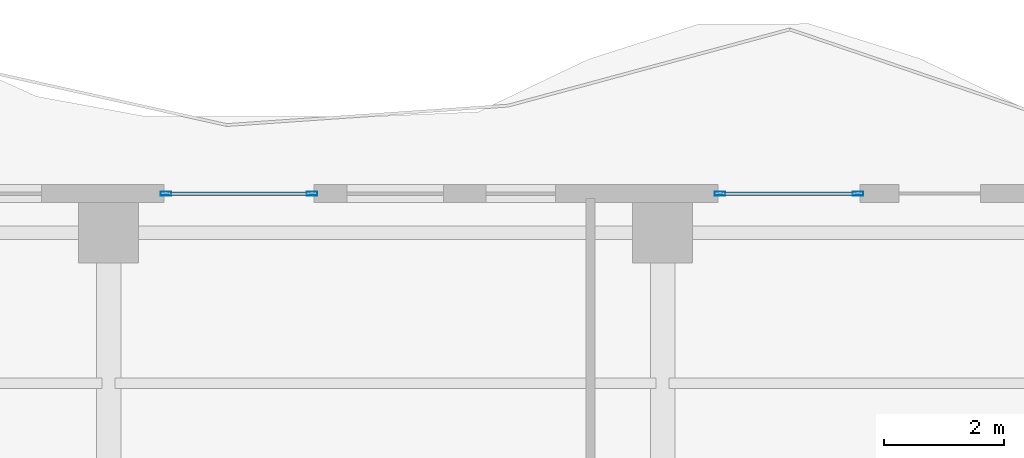
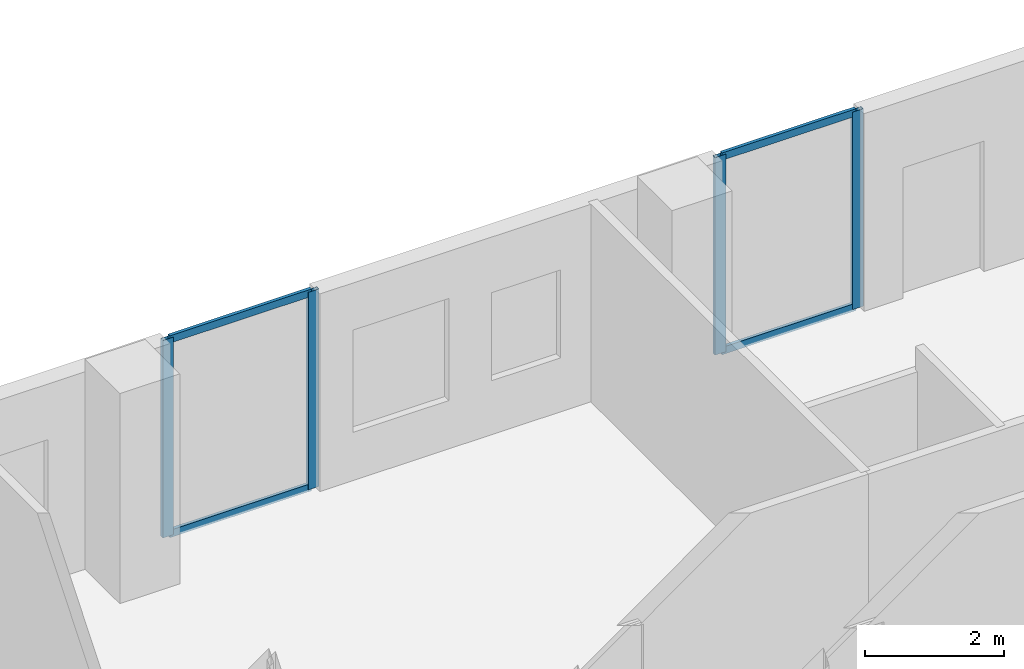
# One storey, part 14 of 23: 8 members, 2 elements without a shape of their own.
"""IFC4 building model written with IfcOpenShell, lengths in metres."""

from ifc_helpers import new_model, si_unit, direction, frame, origin, origin_2d, place, context, subcontext, project, spatial, hollow_rectangle, extrude, material, layer, layer_set, material_profile, profile_set, type_object, element, aggregate, save


model = new_model("IFC4")

# Units and contexts
model_context = context("Model", 3, precision=1e-05, world=origin(), true_north=direction((0.0, 1.0)))
body_context = subcontext(model_context, "Body", "Model", "MODEL_VIEW")
ifc_project = project(units=[si_unit("LENGTHUNIT", "METRE"), si_unit("AREAUNIT", "SQUARE_METRE"), si_unit("VOLUMEUNIT", "CUBIC_METRE"), si_unit("PLANEANGLEUNIT", "RADIAN"), si_unit("MASSUNIT", "GRAM", prefix="KILO")], contexts=[model_context])

# Site, building, storey
site_placement = place(None, origin())
site = spatial("IfcSite", under=ifc_project, at=site_placement, CompositionType="ELEMENT")
building_placement = place(site_placement, origin())
building = spatial("IfcBuilding", under=site, at=building_placement, Name="Zuhayl Quay Hotel", CompositionType="ELEMENT")
storey_placement = place(building_placement, frame((0.0, 0.0, 265.550048828125)))
storey = spatial("IfcBuildingStorey", under=building, at=storey_placement, Name="L67", CompositionType="ELEMENT", Elevation=265.550048828125)

# Curtain wall, members
ifc_material_1 = material(Name="Anodised Aluminium 6063-T6", Category="aluminium")
ifc_layer = layer(ifc_material_1, 0.169921875, Name="Anodised Aluminium 6063-T6", Category="aluminium")
ifc_layer_set = layer_set([ifc_layer], Name="Anodised Aluminium 6063-T6")
curtain_wall_type = type_object("IfcCurtainWallType", Name="CW_SYS_Z4", PredefinedType="USERDEFINED", material=ifc_layer_set)
curtain_wall_1_placement = place(storey_placement, origin())
curtain_wall_1 = element("IfcCurtainWall", 1, at=curtain_wall_1_placement, inside=storey, type_object=curtain_wall_type, Name="L67 Curtain Wall ENV_L67_N_CW2", ObjectType="UNITISED CURTAIN WALL", PredefinedType="USERDEFINED")
ifc_material_2 = material(Name="Black-anodised aluminium 6063-T6", Category="aluminium")
ifc_material_profile_1 = material_profile(ifc_material_2, hollow_rectangle(XDim=0.06494140625, YDim=0.179931640625, WallThickness=0.00341796875, at=origin_2d()), Name="ALU180X65")
ifc_profile_set_1 = profile_set([ifc_material_profile_1], Name="Black-anodised aluminium 6063-T6")
member_type_1 = type_object("IfcMemberType", Name="MB_CW_MUL_180", PredefinedType="MULLION", material=ifc_profile_set_1)
member_1_placement = place(storey_placement, frame((-3.6474609375, 39.0, 0.0), z_axis=(0.0, 0.0, 1.0), x_axis=(0.0, 1.0, 0.0)))
member_1 = element("IfcMember", 2, at=member_1_placement, type_object=member_type_1, Name="CW-Z4 mullion 1", PredefinedType="MULLION", context=body_context, shape_type="SweptSolid", body=[
    extrude(hollow_rectangle(XDim=0.06494140625, YDim=0.179931640625, WallThickness=0.00341796875, at=origin_2d()), origin(), (0.0, 0.0, 1.0), 3.47998046875),
])
member_2_placement = place(storey_placement, frame((-1.222412109375, 39.0, 0.0), z_axis=(0.0, 0.0, 1.0), x_axis=(0.0, 1.0, 0.0)))
member_2 = element("IfcMember", 3, at=member_2_placement, type_object=member_type_1, Name="CW-Z4 mullion 2", PredefinedType="MULLION", context=body_context, shape_type="SweptSolid", body=[
    extrude(hollow_rectangle(XDim=0.06494140625, YDim=0.179931640625, WallThickness=0.00341796875, at=origin_2d()), origin(), (0.0, 0.0, 1.0), 3.47998046875),
])

curtain_wall_2_placement = place(storey_placement, origin())
curtain_wall_2 = element("IfcCurtainWall", 4, at=curtain_wall_2_placement, inside=storey, type_object=curtain_wall_type, Name="L67 Curtain Wall ENV_L67_N_CW3", ObjectType="UNITISED CURTAIN WALL", PredefinedType="USERDEFINED")
member_3_placement = place(storey_placement, frame((5.552490234375, 39.0, 0.0), z_axis=(0.0, 0.0, 1.0), x_axis=(0.0, 1.0, 0.0)))
member_3 = element("IfcMember", 5, at=member_3_placement, type_object=member_type_1, Name="CW-Z4 mullion 1", PredefinedType="MULLION", context=body_context, shape_type="SweptSolid", body=[
    extrude(hollow_rectangle(XDim=0.06494140625, YDim=0.179931640625, WallThickness=0.00341796875, at=origin_2d()), origin(), (0.0, 0.0, 1.0), 3.47998046875),
])
member_4_placement = place(storey_placement, frame((7.845458984375, 39.0, 0.0), z_axis=(0.0, 0.0, 1.0), x_axis=(0.0, 1.0, 0.0)))
member_4 = element("IfcMember", 6, at=member_4_placement, type_object=member_type_1, Name="CW-Z4 mullion 2", PredefinedType="MULLION", context=body_context, shape_type="SweptSolid", body=[
    extrude(hollow_rectangle(XDim=0.06494140625, YDim=0.179931640625, WallThickness=0.00341796875, at=origin_2d()), origin(), (0.0, 0.0, 1.0), 3.47998046875),
])

# Member
ifc_material_profile_2 = material_profile(ifc_material_2, hollow_rectangle(XDim=0.054931640625, YDim=0.1298828125, WallThickness=0.0029296875, at=origin_2d()), Name="ALU130X55")
ifc_profile_set_2 = profile_set([ifc_material_profile_2], Name="Black-anodised aluminium 6063-T6")
member_type_2 = type_object("IfcMemberType", Name="MB_CW_TRN_130", PredefinedType="USERDEFINED", material=ifc_profile_set_2)
member_5_placement = place(storey_placement, frame((-3.614990234375, 39.0, 0.02734375), z_axis=(1.0, 0.0, 0.0), x_axis=(0.0, 1.0, 0.0)))
member_5 = element("IfcMember", 7, at=member_5_placement, type_object=member_type_2, Name="CW-Z4 transom 1.1", ObjectType="TRANSOM", PredefinedType="USERDEFINED", context=body_context, shape_type="SweptSolid", body=[
    extrude(hollow_rectangle(XDim=0.054931640625, YDim=0.1298828125, WallThickness=0.0029296875, at=origin_2d()), origin(), (0.0, 0.0, 1.0), 2.360107421875),
])

member_6_placement = place(storey_placement, frame((-3.614990234375, 39.0, 3.452392578125), z_axis=(1.0, 0.0, 0.0), x_axis=(0.0, 1.0, 0.0)))
member_6 = element("IfcMember", 8, at=member_6_placement, type_object=member_type_2, Name="CW-Z4 transom 1.2", ObjectType="TRANSOM", PredefinedType="USERDEFINED", context=body_context, shape_type="SweptSolid", body=[
    extrude(hollow_rectangle(XDim=0.054931640625, YDim=0.1298828125, WallThickness=0.0029296875, at=origin_2d()), origin(), (0.0, 0.0, 1.0), 2.360107421875),
])

aggregate(curtain_wall_1, [member_1, member_2, member_5, member_6])

member_7_placement = place(storey_placement, frame((5.5849609375, 39.0, 0.02734375), z_axis=(1.0, 0.0, 0.0), x_axis=(0.0, 1.0, 0.0)))
member_7 = element("IfcMember", 9, at=member_7_placement, type_object=member_type_2, Name="CW-Z4 transom 1.1", ObjectType="TRANSOM", PredefinedType="USERDEFINED", context=body_context, shape_type="SweptSolid", body=[
    extrude(hollow_rectangle(XDim=0.054931640625, YDim=0.1298828125, WallThickness=0.0029296875, at=origin_2d()), origin(), (0.0, 0.0, 1.0), 2.22802734375),
])

member_8_placement = place(storey_placement, frame((5.5849609375, 39.0, 3.452392578125), z_axis=(1.0, 0.0, 0.0), x_axis=(0.0, 1.0, 0.0)))
member_8 = element("IfcMember", 10, at=member_8_placement, type_object=member_type_2, Name="CW-Z4 transom 1.2", ObjectType="TRANSOM", PredefinedType="USERDEFINED", context=body_context, shape_type="SweptSolid", body=[
    extrude(hollow_rectangle(XDim=0.054931640625, YDim=0.1298828125, WallThickness=0.0029296875, at=origin_2d()), origin(), (0.0, 0.0, 1.0), 2.22802734375),
])

aggregate(curtain_wall_2, [member_3, member_4, member_7, member_8])

save(model, "model.ifc")
